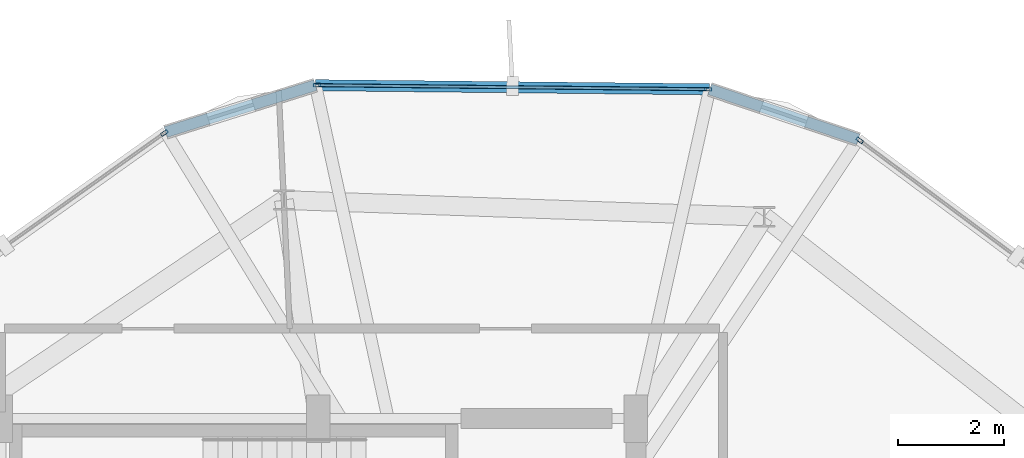
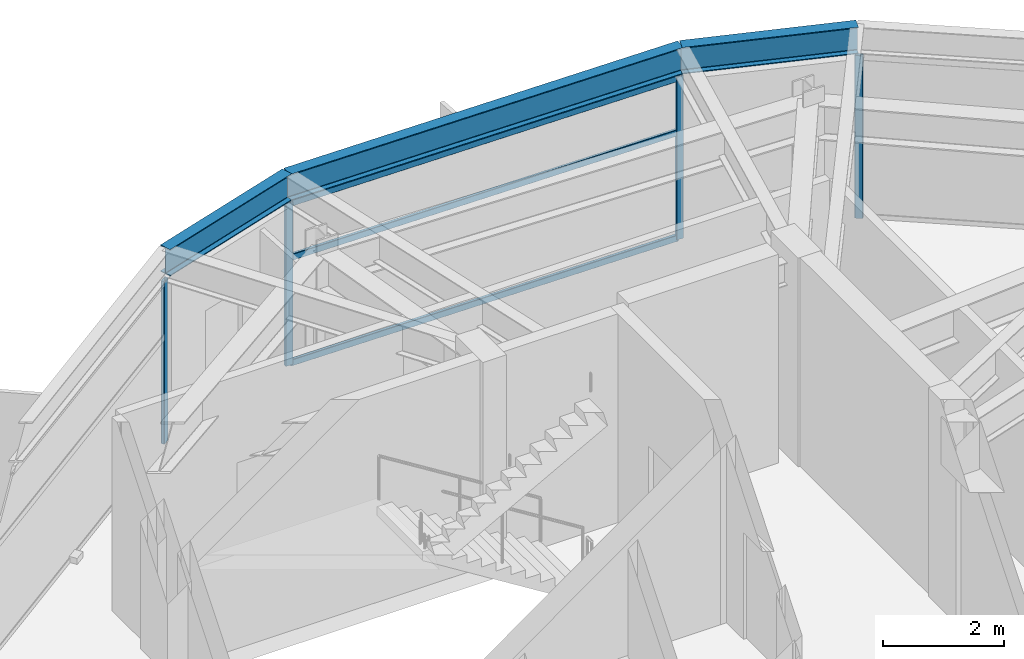
# One storey, part 13 of 19: 7 members, 3 beams, 3 elements without a shape of their own.
"""IFC4 building model written with IfcOpenShell, lengths in metres."""

import ifcopenshell
import ifcopenshell.guid

model = None  # the IFC model being written
_history = None  # IfcOwnerHistory: only IFC2X3 demands one
_inside = {}  # id of a spatial element -> (the spatial element, [elements in it])
_under = {}  # id of a project, library or spatial element -> (it, [spatial elements below it])
_declared = {}  # id of a project -> (the project, [libraries it declares])
_typed = {}  # id of a type object -> (the type object, [elements of that type])
_made_of = {}  # id of a material, layer set ... -> (it, [elements and type objects made of it])


def new_model(schema):
    """Start an empty IFC model of exactly this schema.

    Asked for "IFC4X3", IfcOpenShell would pick the latest addendum, in which some entities
    have other attributes; the version numbers below select the first issue.
    IFC2X3 requires an IfcOwnerHistory on every rooted entity: one is made here for all.
    """
    global model, _history
    if schema == "IFC4X3":
        model = ifcopenshell.file(schema_version=(4, 3, 0, 0))
    else:
        model = ifcopenshell.file(schema=schema)
    _inside.clear()
    _under.clear()
    _declared.clear()
    _typed.clear()
    _made_of.clear()
    _history = None
    if model.schema == "IFC2X3":
        org = make("IfcOrganization", Name="unknown")
        user = make(
            "IfcPersonAndOrganization",
            ThePerson=make("IfcPerson", FamilyName="unknown"),
            TheOrganization=org,
        )
        app = make(
            "IfcApplication",
            ApplicationDeveloper=org,
            Version="unknown",
            ApplicationFullName="unknown",
            ApplicationIdentifier="unknown",
        )
        _history = make(
            "IfcOwnerHistory",
            OwningUser=user,
            OwningApplication=app,
            ChangeAction="ADDED",
            CreationDate=0,
        )
    return model


def make(cls, **values):
    """One entity of the class cls with the attributes given. An attribute that is None is left unset."""
    return model.create_entity(
        cls, **{name: value for name, value in values.items() if value is not None}
    )


def rooted(cls, **values):
    """An entity with a GlobalId (a new one), such as an element, a storey or a relation."""
    return make(cls, GlobalId=ifcopenshell.guid.new(), OwnerHistory=_history, **values)


def si_unit(unit_type, name, prefix=None):
    """IfcSIUnit, for example si_unit("LENGTHUNIT", "METRE", prefix="MILLI")."""
    return make("IfcSIUnit", UnitType=unit_type, Prefix=prefix, Name=name)


def assignment(units):
    """IfcUnitAssignment: the units of a project."""
    return None if units is None else make("IfcUnitAssignment", Units=units)


def point(xyz):
    """IfcCartesianPoint."""
    return None if xyz is None else make("IfcCartesianPoint", Coordinates=xyz)


def direction(xyz):
    """IfcDirection."""
    return None if xyz is None else make("IfcDirection", DirectionRatios=xyz)


def frame(location, z_axis=None, x_axis=None):
    """IfcAxis2Placement3D, a coordinate frame: its origin and axes. An axis left out is left unset."""
    return make(
        "IfcAxis2Placement3D",
        Location=point(location),
        Axis=direction(z_axis),
        RefDirection=direction(x_axis),
    )


def frame_2d(location, x_axis=None):
    """IfcAxis2Placement2D, a coordinate frame in the plane: its origin and x axis."""
    return make(
        "IfcAxis2Placement2D", Location=point(location), RefDirection=direction(x_axis)
    )


def origin():
    """The frame at (0, 0, 0) with its axes left unset."""
    return frame((0.0, 0.0, 0.0))


def origin_2d():
    """The frame at (0, 0) in the plane with its x axis left unset."""
    return frame_2d((0.0, 0.0))


def place(relative_to, where):
    """IfcLocalPlacement: puts the frame where relative to a parent placement (None: the world)."""
    return make(
        "IfcLocalPlacement", PlacementRelTo=relative_to, RelativePlacement=where
    )


def context(
    kind, dimensions, precision=None, world=None, true_north=None, identifier=None
):
    """IfcGeometricRepresentationContext, for example the 3D "Model" context."""
    return make(
        "IfcGeometricRepresentationContext",
        ContextIdentifier=identifier,
        ContextType=kind,
        CoordinateSpaceDimension=dimensions,
        Precision=precision,
        WorldCoordinateSystem=world,
        TrueNorth=true_north,
    )


def subcontext(parent, identifier, kind, view, scale=None):
    """IfcGeometricRepresentationSubContext, for example "Body" below "Model"."""
    return make(
        "IfcGeometricRepresentationSubContext",
        ContextIdentifier=identifier,
        ContextType=kind,
        ParentContext=parent,
        TargetScale=scale,
        TargetView=view,
    )


def project(units=None, contexts=None):
    """IfcProject with its units and contexts."""
    return rooted(
        "IfcProject",
        Name="project",
        RepresentationContexts=contexts,
        UnitsInContext=assignment(units),
    )


def spatial(cls, under=None, at=None, **own):
    """A site, building, storey or space (cls), placed at a placement, below another one or the project."""
    s = rooted(cls, ObjectPlacement=at, **own)
    if under is not None:
        _under.setdefault(under.id(), (under, []))[1].append(s)
    return s


def profile(cls, at=None, kind="AREA", **sizes):
    """A parametric profile (cls). Its sizes go by their IFC names, for example OverallWidth=200.0."""
    return make(cls, ProfileType=kind, Position=at, **sizes)


def hollow_rectangle(**sizes):
    """IfcRectangleHollowProfileDef."""
    return profile("IfcRectangleHollowProfileDef", **sizes)


def i_section(**sizes):
    """IfcIShapeProfileDef."""
    return profile("IfcIShapeProfileDef", **sizes)


def extrude(swept, where, along, depth):
    """IfcExtrudedAreaSolid: the profile swept, set in the frame where, extruded along a direction by depth."""
    return make(
        "IfcExtrudedAreaSolid",
        SweptArea=swept,
        Position=where,
        ExtrudedDirection=direction(along),
        Depth=depth,
    )


def shape(context_of_items, identifier, shape_type, items):
    """IfcShapeRepresentation: the items that make up one representation, for example the "Body"."""
    return make(
        "IfcShapeRepresentation",
        ContextOfItems=context_of_items,
        RepresentationIdentifier=identifier,
        RepresentationType=shape_type,
        Items=items,
    )


def material(Name=None, Category=None):
    """IfcMaterial."""
    return make("IfcMaterial", Name=Name, Category=Category)


def layer(
    of_material, thickness, ventilated=None, Name=None, Category=None, Priority=None
):
    """IfcMaterialLayer: one layer of a wall or slab, of a material (None: an air gap)."""
    return make(
        "IfcMaterialLayer",
        Material=of_material,
        LayerThickness=thickness,
        IsVentilated=ventilated,
        Name=Name,
        Category=Category,
        Priority=Priority,
    )


def layer_set(layers, Name=None):
    """IfcMaterialLayerSet."""
    return make("IfcMaterialLayerSet", MaterialLayers=layers, LayerSetName=Name)


def material_profile(
    of_material, cross_section, Name=None, Category=None, Priority=None
):
    """IfcMaterialProfile: a cross section and its material."""
    return make(
        "IfcMaterialProfile",
        Name=Name,
        Material=of_material,
        Profile=cross_section,
        Priority=Priority,
        Category=Category,
    )


def profile_set(profiles, Name=None, composite=None):
    """IfcMaterialProfileSet."""
    return make(
        "IfcMaterialProfileSet",
        Name=Name,
        MaterialProfiles=profiles,
        CompositeProfile=composite,
    )


def made_of(thing, what):
    """Note that an element or type object is made of a material, layer set ...; save() writes the relation."""
    if what is not None:
        _made_of.setdefault(what.id(), (what, []))[1].append(thing)
    return thing


def type_object(cls, material=None, **own):
    """A type object (cls), such as IfcWallType, which elements share."""
    return made_of(rooted(cls, **own), material)


def element(
    cls,
    number,
    at=None,
    inside=None,
    cuts=None,
    type_object=None,
    material=None,
    context=None,
    identifier="Body",
    shape_type=None,
    held_by="IfcProductDefinitionShape",
    body=None,
    shapes=None,
    **own,
):
    """One element of the class cls, such as IfcWall. Its Tag is "e" and its number.

    at: its placement. inside: the storey or other place that contains it. cuts: it is an
    opening in that element (IfcRelVoidsElement). A single representation is given by context,
    identifier, shape_type and body (its items); several are given by shapes. held_by: the class
    of the entity that holds the representations. save() writes the other relations.
    """
    e = rooted(cls, Tag="e%d" % number, ObjectPlacement=at, **own)
    if body is not None:
        shapes = [shape(context, identifier, shape_type, body)]
    if shapes is not None:
        e.Representation = make(held_by, Representations=shapes)
    if inside is not None:
        _inside.setdefault(inside.id(), (inside, []))[1].append(e)
    if cuts is not None:
        rooted(
            "IfcRelVoidsElement", RelatingBuildingElement=cuts, RelatedOpeningElement=e
        )
    if type_object is not None:
        _typed.setdefault(type_object.id(), (type_object, []))[1].append(e)
    return made_of(e, material)


def aggregate(whole, parts):
    """IfcRelAggregates: a whole, such as a stair, and the parts it consists of."""
    return rooted("IfcRelAggregates", RelatingObject=whole, RelatedObjects=parts)


def save(model, path):
    """Write the relations noted so far, then the file.

    IfcRelAggregates (storeys below a building ...), IfcRelContainedInSpatialStructure (elements
    in a storey), IfcRelDefinesByType, IfcRelAssociatesMaterial and IfcRelDeclares: one each for
    every whole, place, type object, material and project.
    """
    for whole, parts in _under.values():
        aggregate(whole, parts)
    for where, things in _inside.values():
        rooted(
            "IfcRelContainedInSpatialStructure",
            RelatedElements=things,
            RelatingStructure=where,
        )
    for kind, things in _typed.values():
        rooted("IfcRelDefinesByType", RelatedObjects=things, RelatingType=kind)
    for what, things in _made_of.values():
        rooted("IfcRelAssociatesMaterial", RelatedObjects=things, RelatingMaterial=what)
    for by, libraries in _declared.values():
        rooted("IfcRelDeclares", RelatingContext=by, RelatedDefinitions=libraries)
    model.write(path)


model = new_model("IFC4")

# Units and contexts
model_context = context("Model", 3, precision=1e-05, world=origin(), true_north=direction((0.0, 1.0)))
body_context = subcontext(model_context, "Body", "Model", "MODEL_VIEW")
ifc_project = project(units=[si_unit("LENGTHUNIT", "METRE"), si_unit("AREAUNIT", "SQUARE_METRE"), si_unit("VOLUMEUNIT", "CUBIC_METRE"), si_unit("PLANEANGLEUNIT", "RADIAN"), si_unit("MASSUNIT", "GRAM", prefix="KILO")], contexts=[model_context])

# Site, building, storey
site_placement = place(None, origin())
site = spatial("IfcSite", under=ifc_project, at=site_placement, CompositionType="ELEMENT")
building_placement = place(site_placement, origin())
building = spatial("IfcBuilding", under=site, at=building_placement, Name="Soratama Intermodal Tower", CompositionType="ELEMENT")
storey_placement = place(building_placement, frame((0.0, 0.0, 297.25)))
storey = spatial("IfcBuildingStorey", under=building, at=storey_placement, Name="L75", CompositionType="ELEMENT", Elevation=297.25)

# Beams
ifc_material_1 = material(Name="Structural steel ASTM A992 Grade 50", Category="steel")
ifc_material_profile_1 = material_profile(ifc_material_1, i_section(OverallWidth=0.2099609375, OverallDepth=0.537109375, WebThickness=0.010986328125, FlangeThickness=0.017333984375, FilletRadius=0.012939453125, at=origin_2d()), Name="W21X68")
ifc_profile_set_1 = profile_set([ifc_material_profile_1], Name="Structural steel ASTM A992 Grade 50")
beam_type = type_object("IfcBeamType", Name="BM-SPN-W21X68", PredefinedType="SPANDREL", material=ifc_profile_set_1)
beam_1_placement = place(storey_placement, frame((45.9951171875, 41.222900390625, 3.62646484375), z_axis=(-0.999945008852, 0.01048710025, 0.0), x_axis=(-0.01048710025, -0.999945008852, 0.0)))
element("IfcBeam", 1, at=beam_1_placement, inside=storey, type_object=beam_type, Name="BS-L75-F01", PredefinedType="SPANDREL", context=body_context, shape_type="SweptSolid", body=[
    extrude(i_section(OverallWidth=0.2099609375, OverallDepth=0.537109375, WebThickness=0.010986328125, FlangeThickness=0.017333984375, FilletRadius=0.012939453125, at=origin_2d()), origin(), (0.0, 0.0, 1.0), 7.44970703125),
])
beam_2_placement = place(storey_placement, frame((38.5458984375, 41.301025390625, 3.62646484375), z_axis=(-0.954255656612, -0.298991875849, 0.0), x_axis=(0.298991875849, -0.954255656612, 0.0)))
element("IfcBeam", 2, at=beam_2_placement, inside=storey, type_object=beam_type, Name="BS-L75-CRN01", PredefinedType="SPANDREL", context=body_context, shape_type="SweptSolid", body=[
    extrude(i_section(OverallWidth=0.2099609375, OverallDepth=0.537109375, WebThickness=0.010986328125, FlangeThickness=0.017333984375, FilletRadius=0.012939453125, at=origin_2d()), origin(), (0.0, 0.0, 1.0), 2.966552734375),
])
beam_3_placement = place(storey_placement, frame((48.805908203125, 40.277099609375, 3.62646484375), z_axis=(-0.947782160442, 0.318918447803, 0.0), x_axis=(-0.318918447803, -0.947782160442, 0.0)))
element("IfcBeam", 3, at=beam_3_placement, inside=storey, type_object=beam_type, Name="BS-L75-CRN10", PredefinedType="SPANDREL", context=body_context, shape_type="SweptSolid", body=[
    extrude(i_section(OverallWidth=0.2099609375, OverallDepth=0.537109375, WebThickness=0.010986328125, FlangeThickness=0.017333984375, FilletRadius=0.012939453125, at=origin_2d()), origin(), (0.0, 0.0, 1.0), 2.965576171875),
])

# Curtain wall, members
ifc_material_2 = material(Name="Double-glazed aluminium curtain wall", Category="aluminium")
ifc_layer = layer(ifc_material_2, 0.159912109375)
ifc_layer_set = layer_set([ifc_layer], Name="Double-glazed aluminium curtain wall")
curtain_wall_type = type_object("IfcCurtainWallType", Name="CW-SYS-6", PredefinedType="NOTDEFINED", material=ifc_layer_set)
curtain_wall_1_placement = place(storey_placement, origin())
curtain_wall_1 = element("IfcCurtainWall", 4, at=curtain_wall_1_placement, inside=storey, type_object=curtain_wall_type, Name="L75 Faceted Curtain Wall F01", PredefinedType="NOTDEFINED")
ifc_material_3 = material(Name="Anodised aluminium AA 6063-T6", Category="aluminium")
ifc_material_profile_2 = material_profile(ifc_material_3, hollow_rectangle(XDim=0.06494140625, YDim=0.139892578125, WallThickness=0.0048828125, InnerFilletRadius=0.0048828125, OuterFilletRadius=0.010009765625, at=origin_2d()), Name="CWM140X65X5")
ifc_profile_set_2 = profile_set([ifc_material_profile_2], Name="Anodised aluminium AA 6063-T6")
member_type_1 = type_object("IfcMemberType", Name="MT-CWM-6", PredefinedType="MULLION", material=ifc_profile_set_2)
member_1_placement = place(storey_placement, frame((45.964599609375, 41.2236328125, 0.0), z_axis=(0.0, 0.0, 1.0), x_axis=(-0.010470911273, -0.999945178506, 0.0)))
member_1 = element("IfcMember", 5, at=member_1_placement, type_object=member_type_1, Name="CW-6 mullion 1", PredefinedType="MULLION", context=body_context, shape_type="SweptSolid", body=[
    extrude(hollow_rectangle(XDim=0.06494140625, YDim=0.139892578125, WallThickness=0.0048828125, InnerFilletRadius=0.0048828125, OuterFilletRadius=0.010009765625, at=origin_2d()), origin(), (0.0, 0.0, 1.0), 3.27392578125),
])
member_2_placement = place(storey_placement, frame((38.575927734375, 41.30078125, 0.0), z_axis=(0.0, 0.0, 1.0), x_axis=(-0.010470911273, -0.999945178506, 0.0)))
member_2 = element("IfcMember", 6, at=member_2_placement, type_object=member_type_1, Name="CW-6 mullion 2", PredefinedType="MULLION", context=body_context, shape_type="SweptSolid", body=[
    extrude(hollow_rectangle(XDim=0.06494140625, YDim=0.139892578125, WallThickness=0.0048828125, InnerFilletRadius=0.0048828125, OuterFilletRadius=0.010009765625, at=origin_2d()), origin(), (0.0, 0.0, 1.0), 3.27392578125),
])

# Curtain wall, member
curtain_wall_2_placement = place(storey_placement, origin())
curtain_wall_2 = element("IfcCurtainWall", 7, at=curtain_wall_2_placement, inside=storey, type_object=curtain_wall_type, Name="L75 Faceted Curtain Wall F02", PredefinedType="NOTDEFINED")
member_3_placement = place(storey_placement, frame((35.690673828125, 40.396728515625, 0.0), z_axis=(0.0, 0.0, 1.0), x_axis=(0.579286007364, -0.815124359636, 0.0)))
member_3 = element("IfcMember", 8, at=member_3_placement, type_object=member_type_1, Name="CW-6 mullion 1", PredefinedType="MULLION", context=body_context, shape_type="SweptSolid", body=[
    extrude(hollow_rectangle(XDim=0.06494140625, YDim=0.139892578125, WallThickness=0.0048828125, InnerFilletRadius=0.0048828125, OuterFilletRadius=0.010009765625, at=origin_2d()), origin(), (0.0, 0.0, 1.0), 3.27392578125),
])
aggregate(curtain_wall_2, [member_3])

curtain_wall_3_placement = place(storey_placement, origin())
curtain_wall_3 = element("IfcCurtainWall", 9, at=curtain_wall_3_placement, inside=storey, type_object=curtain_wall_type, Name="L75 Faceted Curtain Wall F10", PredefinedType="NOTDEFINED")
member_4_placement = place(storey_placement, frame((48.830322265625, 40.259033203125, 0.0), z_axis=(0.0, 0.0, 1.0), x_axis=(-0.596228098938, -0.802815080848, 0.0)))
member_4 = element("IfcMember", 10, at=member_4_placement, type_object=member_type_1, Name="CW-6 mullion 2", PredefinedType="MULLION", context=body_context, shape_type="SweptSolid", body=[
    extrude(hollow_rectangle(XDim=0.06494140625, YDim=0.139892578125, WallThickness=0.0048828125, InnerFilletRadius=0.0048828125, OuterFilletRadius=0.010009765625, at=origin_2d()), origin(), (0.0, 0.0, 1.0), 3.27392578125),
])
aggregate(curtain_wall_3, [member_4])

# Member
ifc_material_4 = material(Name="Anodised aluminium AA 6063-T6", Category="aluminium")
ifc_material_profile_3 = material_profile(ifc_material_4, hollow_rectangle(XDim=0.06005859375, YDim=0.1298828125, WallThickness=0.0048828125, InnerFilletRadius=0.0048828125, OuterFilletRadius=0.010009765625, at=origin_2d()), Name="CWT130X60X5")
ifc_profile_set_3 = profile_set([ifc_material_profile_3], Name="Anodised aluminium AA 6063-T6")
member_type_2 = type_object("IfcMemberType", Name="TT-CWT-2", PredefinedType="USERDEFINED", material=ifc_profile_set_3)
member_5_placement = place(storey_placement, frame((45.934814453125, 41.223876953125, 0.030029296875), z_axis=(-0.99994529825, 0.010459469791, 0.0), x_axis=(-0.010459469791, -0.99994529825, 0.0)))
member_5 = element("IfcMember", 11, at=member_5_placement, type_object=member_type_2, Name="CW-6 transom 1.1", ObjectType="TRANSOM", PredefinedType="USERDEFINED", context=body_context, shape_type="SweptSolid", body=[
    extrude(hollow_rectangle(XDim=0.06005859375, YDim=0.1298828125, WallThickness=0.0048828125, InnerFilletRadius=0.0048828125, OuterFilletRadius=0.010009765625, at=origin_2d()), origin(), (0.0, 0.0, 1.0), 7.329345703125),
])

member_6_placement = place(storey_placement, frame((45.934814453125, 41.223876953125, 2.14990234375), z_axis=(-0.99994529825, 0.010459469791, 0.0), x_axis=(-0.010459469791, -0.99994529825, 0.0)))
member_6 = element("IfcMember", 12, at=member_6_placement, type_object=member_type_2, Name="CW-6 transom 1.2", ObjectType="TRANSOM", PredefinedType="USERDEFINED", context=body_context, shape_type="SweptSolid", body=[
    extrude(hollow_rectangle(XDim=0.06005859375, YDim=0.1298828125, WallThickness=0.0048828125, InnerFilletRadius=0.0048828125, OuterFilletRadius=0.010009765625, at=origin_2d()), origin(), (0.0, 0.0, 1.0), 7.329345703125),
])

member_7_placement = place(storey_placement, frame((45.934814453125, 41.223876953125, 3.243896484375), z_axis=(-0.99994529825, 0.010459469791, 0.0), x_axis=(-0.010459469791, -0.99994529825, 0.0)))
member_7 = element("IfcMember", 13, at=member_7_placement, type_object=member_type_2, Name="CW-6 transom 1.3", ObjectType="TRANSOM", PredefinedType="USERDEFINED", context=body_context, shape_type="SweptSolid", body=[
    extrude(hollow_rectangle(XDim=0.06005859375, YDim=0.1298828125, WallThickness=0.0048828125, InnerFilletRadius=0.0048828125, OuterFilletRadius=0.010009765625, at=origin_2d()), origin(), (0.0, 0.0, 1.0), 7.329345703125),
])

aggregate(curtain_wall_1, [member_1, member_2, member_5, member_6, member_7])

save(model, "model.ifc")
